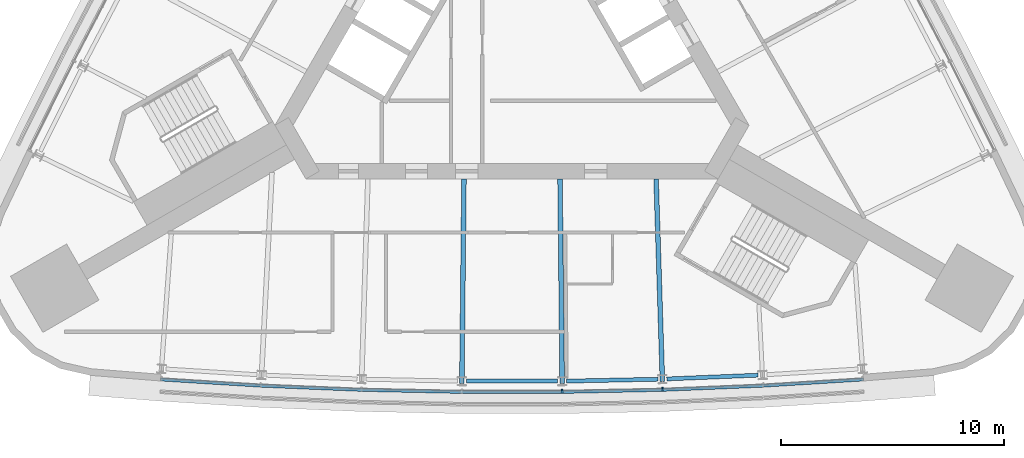
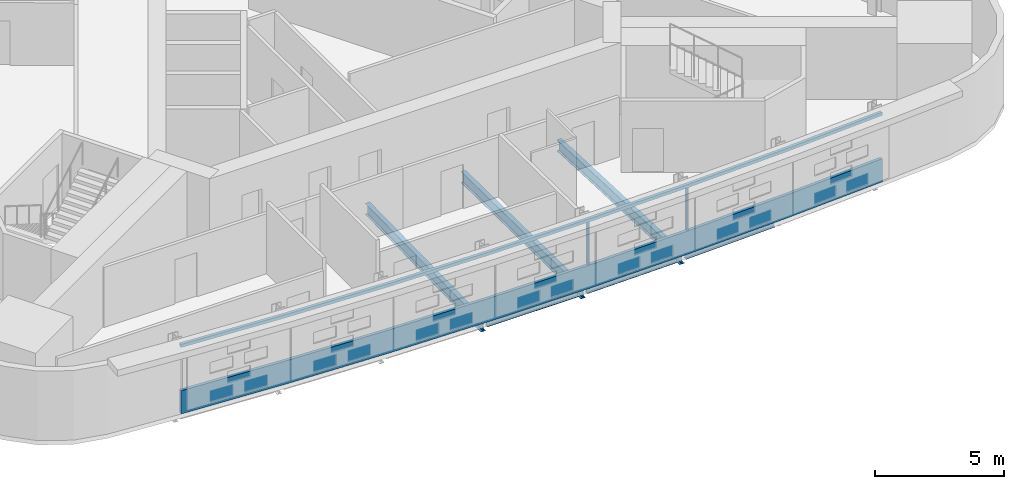
# One storey, part 3 of 12: 6 beams, 4 members, 1 element without a shape of its own.
"""IFC4 building model written with IfcOpenShell, lengths in metres."""

from ifc_helpers import new_model, si_unit, direction, frame, origin, origin_2d, place, context, subcontext, project, spatial, polyline, rectangle, i_section, outline, extrude, material, material_profile, profile_set, type_object, element, aggregate, save


model = new_model("IFC4")

# Units and contexts
model_context = context("Model", 3, precision=1e-05, world=origin(), true_north=direction((0.0, 1.0)))
body_context = subcontext(model_context, "Body", "Model", "MODEL_VIEW")
ifc_project = project(units=[si_unit("LENGTHUNIT", "METRE"), si_unit("AREAUNIT", "SQUARE_METRE"), si_unit("VOLUMEUNIT", "CUBIC_METRE"), si_unit("PLANEANGLEUNIT", "RADIAN"), si_unit("MASSUNIT", "GRAM", prefix="KILO")], contexts=[model_context])

# Site, building, storey
site_placement = place(None, origin())
site = spatial("IfcSite", under=ifc_project, at=site_placement, CompositionType="ELEMENT")
building_placement = place(site_placement, origin())
building = spatial("IfcBuilding", under=site, at=building_placement, Name="Noor Cloister Tower", CompositionType="ELEMENT")
storey_placement = place(building_placement, frame((0.0, 0.0, 154.5)))
storey = spatial("IfcBuildingStorey", under=building, at=storey_placement, Name="L39", CompositionType="ELEMENT", Elevation=154.5)

# Curtain wall, members
ifc_material_1 = material(Name="Aluminium 6063-T6 anodised", Category="aluminium")
curtain_wall_type = type_object("IfcCurtainWallType", Name="Ribbon curtain wall, upper tower CW5", PredefinedType="NOTDEFINED", material=ifc_material_1)
curtain_wall_placement = place(storey_placement, origin())
curtain_wall = element("IfcCurtainWall", 1, at=curtain_wall_placement, inside=storey, type_object=curtain_wall_type, Name="CW5 L39 S run 2", PredefinedType="NOTDEFINED")
ifc_material_2 = material(Name="Aluminium 6063-T6 anodised", Category="aluminium")
member_type_1 = type_object("IfcMemberType", Name="Head transom CW5 150", PredefinedType="USERDEFINED", material=ifc_material_2)
member_1_placement = place(storey_placement, frame((0.0, 0.0, 3.14990234375)))
member_1 = element("IfcMember", 2, at=member_1_placement, type_object=member_type_1, Name="CW5 head transom", ObjectType="TRANSOM", PredefinedType="USERDEFINED", context=body_context, shape_type="SweptSolid", body=[
    extrude(outline(polyline([(-15.736083984375, -15.97607421875), (-11.244873046875, -16.255615234375), (-6.7490234375, -16.442138671875), (-2.25, -16.535400390625), (2.25, -16.535400390625), (6.7490234375, -16.442138671875), (11.244873046875, -16.255615234375), (15.736083984375, -15.97607421875), (15.7275390625, -15.83642578125), (11.23779296875, -16.115966796875), (6.74462890625, -16.30224609375), (2.24853515625, -16.3955078125), (-2.24853515625, -16.3955078125), (-6.74462890625, -16.30224609375), (-11.23779296875, -16.115966796875), (-15.7275390625, -15.83642578125), (-15.736083984375, -15.97607421875)])), origin(), (0.0, 0.0, 1.0), 0.150146484375),
])
ifc_material_3 = material(Name="Aluminium 6063-T6 anodised", Category="aluminium")
ifc_material_profile_1 = material_profile(ifc_material_3, rectangle(XDim=0.179931640625, YDim=0.070068359375, at=origin_2d()), Name="180 x 70 mullion")
ifc_profile_set_1 = profile_set([ifc_material_profile_1], Name="Aluminium 6063-T6 anodised")
member_type_2 = type_object("IfcMemberType", Name="Mullion CW5 70 x 180", PredefinedType="MULLION", material=ifc_profile_set_1)
member_2_placement = place(storey_placement, frame((2.2490234375, -16.435546875, 1.10009765625), z_axis=(0.0, 0.0, 1.0), x_axis=(-0.010364172955, 0.999946290517, 0.0)))
member_2 = element("IfcMember", 3, at=member_2_placement, type_object=member_type_2, Name="CW5 mullion 5", PredefinedType="MULLION", context=body_context, shape_type="SweptSolid", body=[
    extrude(rectangle(XDim=0.179931640625, YDim=0.070068359375, at=origin_2d()), origin(), (0.0, 0.0, 1.0), 2.0498046875),
])
member_3_placement = place(storey_placement, frame((6.745849609375, -16.34228515625, 1.10009765625), z_axis=(0.0, 0.0, 1.0), x_axis=(-0.031088065749, 0.99951664927, 0.0)))
member_3 = element("IfcMember", 4, at=member_3_placement, type_object=member_type_2, Name="CW5 mullion 6", PredefinedType="MULLION", context=body_context, shape_type="SweptSolid", body=[
    extrude(rectangle(XDim=0.179931640625, YDim=0.070068359375, at=origin_2d()), origin(), (0.0, 0.0, 1.0), 2.0498046875),
])

# Beams
ifc_material_4 = material(Name="Steel ASTM A992 Gr 50", Category="steel")
ifc_material_profile_2 = material_profile(ifc_material_4, i_section(OverallWidth=0.208984375, OverallDepth=0.532958984375, WebThickness=0.01025390625, FlangeThickness=0.015625, FilletRadius=0.0126953125, at=origin_2d()), Name="W530x92")
ifc_profile_set_2 = profile_set([ifc_material_profile_2], Name="Steel ASTM A992 Gr 50")
beam_type_1 = type_object("IfcBeamType", Name="Radial beam W530x92", PredefinedType="BEAM", material=ifc_profile_set_2)
for number, where, z_axis, x_axis, name in (
    (5, (-2.245361328125, -16.092529296875, -0.466552734375), (0.010362551977, 0.999946307317, 0.0), (-0.999946307317, 0.010362551977, 0.0), "Radial beam S 04 L39"),
    (6, (2.245361328125, -16.092529296875, -0.466552734375), (-0.010362551977, 0.999946307317, 0.0), (-0.999946307317, -0.010362551977, 0.0), "Radial beam S 05 L39"),
):
    element("IfcBeam", number, at=place(storey_placement, frame(where, z_axis=z_axis, x_axis=x_axis)), inside=storey, type_object=beam_type_1, Name=name, PredefinedType="BEAM", context=body_context, shape_type="SweptSolid", body=[
        extrude(i_section(OverallWidth=0.208984375, OverallDepth=0.532958984375, WebThickness=0.01025390625, FlangeThickness=0.015625, FilletRadius=0.0126953125, at=origin_2d()), origin(), (0.0, 0.0, 1.0), 9.164794921875),
    ])
beam_1_placement = place(storey_placement, frame((6.735107421875, -15.99951171875, -0.466552734375), z_axis=(-0.031097021329, 0.999516370684, 0.0), x_axis=(-0.999516370684, -0.031097021329, 0.0)))
element("IfcBeam", 7, at=beam_1_placement, inside=storey, type_object=beam_type_1, Name="Radial beam S 06 L39", PredefinedType="BEAM", context=body_context, shape_type="SweptSolid", body=[
    extrude(i_section(OverallWidth=0.208984375, OverallDepth=0.532958984375, WebThickness=0.01025390625, FlangeThickness=0.015625, FilletRadius=0.0126953125, at=origin_2d()), origin(), (0.0, 0.0, 1.0), 9.07568359375),
])

# Member
ifc_material_5 = material(Name="Aluminium 6063-T6 anodised", Category="aluminium")
member_type_3 = type_object("IfcMemberType", Name="Sill transom CW5 1100", PredefinedType="USERDEFINED", material=ifc_material_5)
member_4_placement = place(storey_placement, origin())
member_4 = element("IfcMember", 8, at=member_4_placement, type_object=member_type_3, Name="CW5 sill transom", ObjectType="TRANSOM", PredefinedType="USERDEFINED", context=body_context, shape_type="SweptSolid", body=[
    extrude(outline(polyline([(-15.736083984375, -15.97607421875), (-11.244873046875, -16.255615234375), (-6.7490234375, -16.442138671875), (-2.25, -16.535400390625), (2.25, -16.535400390625), (6.7490234375, -16.442138671875), (11.244873046875, -16.255615234375), (15.736083984375, -15.97607421875), (15.7275390625, -15.83642578125), (11.23779296875, -16.115966796875), (6.74462890625, -16.30224609375), (2.24853515625, -16.3955078125), (-2.24853515625, -16.3955078125), (-6.74462890625, -16.30224609375), (-11.23779296875, -16.115966796875), (-15.7275390625, -15.83642578125), (-15.736083984375, -15.97607421875)])), origin(), (0.0, 0.0, 1.0), 1.10009765625),
])

aggregate(curtain_wall, [member_2, member_3, member_4, member_1])

# Beams
ifc_material_6 = material(Name="Steel ASTM A992 Gr 50", Category="steel")
ifc_material_profile_3 = material_profile(ifc_material_6, i_section(OverallWidth=0.177978515625, OverallDepth=0.406005859375, WebThickness=0.0078125, FlangeThickness=0.0126953125, FilletRadius=0.01025390625, at=origin_2d()), Name="W410x60")
ifc_profile_set_3 = profile_set([ifc_material_profile_3], Name="Steel ASTM A992 Gr 50")
beam_type_2 = type_object("IfcBeamType", Name="Spandrel beam W410x60", PredefinedType="SPANDREL", material=ifc_profile_set_3)
beam_2_placement = place(storey_placement, frame((-2.044677734375, -15.985595703125, -0.403076171875), z_axis=(1.0, 0.0, 0.0), x_axis=(0.0, 1.0, 0.0)))
element("IfcBeam", 9, at=beam_2_placement, inside=storey, type_object=beam_type_2, Name="Spandrel beam S 04 L39", PredefinedType="SPANDREL", context=body_context, shape_type="SweptSolid", body=[
    extrude(i_section(OverallWidth=0.177978515625, OverallDepth=0.406005859375, WebThickness=0.0078125, FlangeThickness=0.0126953125, FilletRadius=0.01025390625, at=origin_2d()), origin(), (0.0, 0.0, 1.0), 4.08935546875),
])
beam_3_placement = place(storey_placement, frame((2.443603515625, -15.9814453125, -0.403076171875), z_axis=(0.999785432839, 0.020714446214, 0.0), x_axis=(-0.020714446214, 0.999785432839, 0.0)))
element("IfcBeam", 10, at=beam_3_placement, inside=storey, type_object=beam_type_2, Name="Spandrel beam S 05 L39", PredefinedType="SPANDREL", context=body_context, shape_type="SweptSolid", body=[
    extrude(i_section(OverallWidth=0.177978515625, OverallDepth=0.406005859375, WebThickness=0.0078125, FlangeThickness=0.0126953125, FilletRadius=0.01025390625, at=origin_2d()), origin(), (0.0, 0.0, 1.0), 4.08984375),
])
beam_4_placement = place(storey_placement, frame((6.93115234375, -15.88427734375, -0.403076171875), z_axis=(0.999141330657, 0.041431888353, 0.0), x_axis=(-0.041431888353, 0.999141330657, 0.0)))
element("IfcBeam", 11, at=beam_4_placement, inside=storey, type_object=beam_type_2, Name="Spandrel beam S 06 L39", PredefinedType="SPANDREL", context=body_context, shape_type="SweptSolid", body=[
    extrude(i_section(OverallWidth=0.177978515625, OverallDepth=0.406005859375, WebThickness=0.0078125, FlangeThickness=0.0126953125, FilletRadius=0.01025390625, at=origin_2d()), origin(), (0.0, 0.0, 1.0), 4.08935546875),
])

save(model, "model.ifc")
